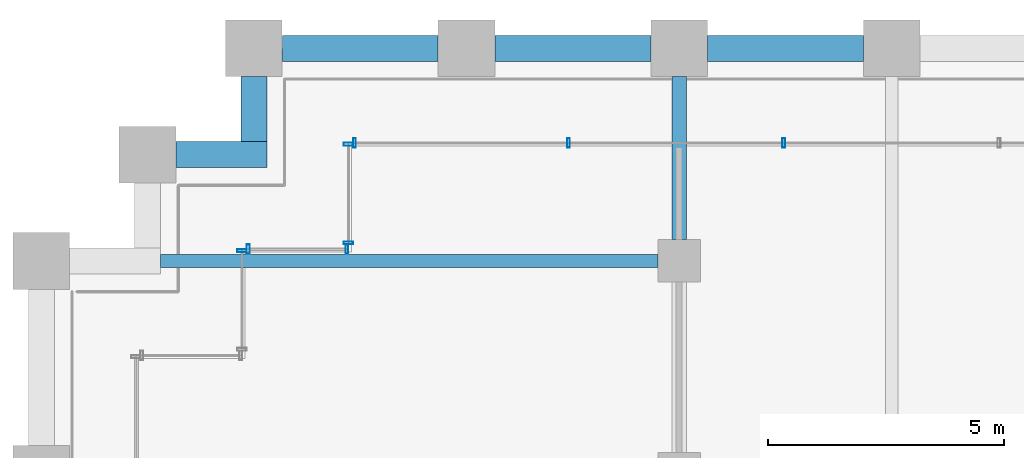
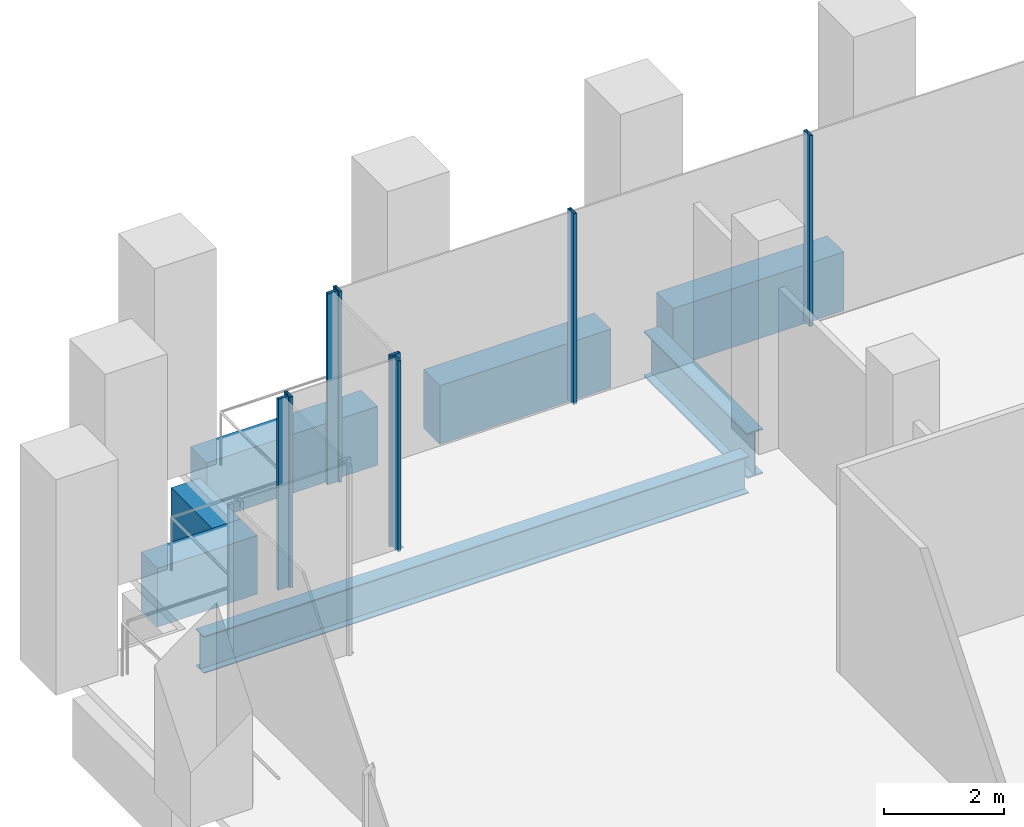
# One storey, part 14 of 36: 8 members, 7 beams, 4 elements without a shape of their own.
"""IFC4 building model written with IfcOpenShell, lengths in metres."""

from ifc_helpers import new_model, si_unit, direction, frame, origin, origin_2d, place, context, subcontext, project, spatial, rectangle, hollow_rectangle, i_section, extrude, material, material_profile, profile_set, type_object, element, aggregate, save


model = new_model("IFC4")

# Units and contexts
model_context = context("Model", 3, precision=1e-05, world=origin(), true_north=direction((0.0, 1.0)))
body_context = subcontext(model_context, "Body", "Model", "MODEL_VIEW")
ifc_project = project(units=[si_unit("LENGTHUNIT", "METRE"), si_unit("AREAUNIT", "SQUARE_METRE"), si_unit("VOLUMEUNIT", "CUBIC_METRE"), si_unit("PLANEANGLEUNIT", "RADIAN"), si_unit("MASSUNIT", "GRAM", prefix="KILO")], contexts=[model_context])

# Site, building, storey
site_placement = place(None, origin())
site = spatial("IfcSite", under=ifc_project, at=site_placement, CompositionType="ELEMENT")
building_placement = place(site_placement, origin())
building = spatial("IfcBuilding", under=site, at=building_placement, Name="Altepetl Exchange Towers", CompositionType="ELEMENT")
storey_placement = place(building_placement, frame((0.0, 0.0, 38.60009765625)))
storey = spatial("IfcBuildingStorey", under=building, at=storey_placement, Name="L08", CompositionType="ELEMENT", Elevation=38.60009765625)

# Beams
ifc_material_1 = material(Name="Steel S355", Category="steel")
ifc_material_profile_1 = material_profile(ifc_material_1, i_section(OverallWidth=0.26611328125, OverallDepth=0.758056640625, WebThickness=0.013916015625, FlangeThickness=0.019287109375, at=origin_2d()), Name="W30X108")
ifc_profile_set_1 = profile_set([ifc_material_profile_1], Name="Steel S355")
beam_type_1 = type_object("IfcBeamType", Name="Floor beam W30X108", PredefinedType="BEAM", material=ifc_profile_set_1)
beam_1_placement = place(storey_placement, frame((29.52490234375, 67.5, -0.55419921875), z_axis=(1.0, 0.0, 0.0), x_axis=(0.0, 1.0, 0.0)))
element("IfcBeam", 1, at=beam_1_placement, inside=storey, type_object=beam_type_1, Name="bm:A:L08:023", PredefinedType="BEAM", context=body_context, shape_type="SweptSolid", body=[
    extrude(i_section(OverallWidth=0.26611328125, OverallDepth=0.758056640625, WebThickness=0.013916015625, FlangeThickness=0.019287109375, at=origin_2d()), origin(), (0.0, 0.0, 1.0), 10.525146484375),
])
ifc_material_profile_2 = material_profile(ifc_material_1, i_section(OverallWidth=0.306884765625, OverallDepth=0.923095703125, WebThickness=0.018310546875, FlangeThickness=0.030029296875, at=origin_2d()), Name="W36X182")
ifc_profile_set_2 = profile_set([ifc_material_profile_2], Name="Steel S355")
beam_type_2 = type_object("IfcBeamType", Name="Girder W36X182", PredefinedType="BEAM", material=ifc_profile_set_2)
beam_2_placement = place(storey_placement, frame((40.5, 71.39990234375, -0.63671875), z_axis=(0.0, -1.0, 0.0), x_axis=(1.0, 0.0, 0.0)))
element("IfcBeam", 2, at=beam_2_placement, inside=storey, type_object=beam_type_2, Name="gd:A:L08:003", PredefinedType="BEAM", context=body_context, shape_type="SweptSolid", body=[
    extrude(i_section(OverallWidth=0.306884765625, OverallDepth=0.923095703125, WebThickness=0.018310546875, FlangeThickness=0.030029296875, at=origin_2d()), origin(), (0.0, 0.0, 1.0), 3.449951171875),
])

# Curtain wall, members
ifc_material_2 = material(Name="Aluminium 6063-T6 glazing", Category="aluminium")
curtain_wall_type = type_object("IfcCurtainWallType", Name="Trading floor glazing system", PredefinedType="NOTDEFINED", material=ifc_material_2)
curtain_wall_1_placement = place(storey_placement, origin())
curtain_wall_1 = element("IfcCurtainWall", 3, at=curtain_wall_1_placement, inside=storey, type_object=curtain_wall_type, Name="CW2 run", PredefinedType="NOTDEFINED")
ifc_material_3 = material(Name="Aluminium 6063-T6", Category="aluminium")
ifc_material_profile_3 = material_profile(ifc_material_3, hollow_rectangle(XDim=0.06005859375, YDim=0.199951171875, WallThickness=0.0029296875, at=origin_2d()), Name="Mullion 60x200 aluminium")
ifc_profile_set_3 = profile_set([ifc_material_profile_3], Name="Aluminium 6063-T6")
member_type = type_object("IfcMemberType", Name="Mullion 60x200 aluminium", PredefinedType="MULLION", material=ifc_profile_set_3)
member_1_placement = place(storey_placement, frame((42.71435546875, 70.0, 0.0), z_axis=(0.0, 0.0, 1.0), x_axis=(-1.0, 0.0, 0.0)))
member_1 = element("IfcMember", 4, at=member_1_placement, type_object=member_type, Name="MU2 mullion", PredefinedType="MULLION", context=body_context, shape_type="SweptSolid", body=[
    extrude(hollow_rectangle(XDim=0.06005859375, YDim=0.199951171875, WallThickness=0.0029296875, at=origin_2d()), origin(), (0.0, 0.0, 1.0), 3.89990234375),
])
member_2_placement = place(storey_placement, frame((38.1572265625, 70.0, 0.0), z_axis=(0.0, 0.0, 1.0), x_axis=(-1.0, 0.0, 0.0)))
member_2 = element("IfcMember", 5, at=member_2_placement, type_object=member_type, Name="MU2 mullion", PredefinedType="MULLION", context=body_context, shape_type="SweptSolid", body=[
    extrude(hollow_rectangle(XDim=0.06005859375, YDim=0.199951171875, WallThickness=0.0029296875, at=origin_2d()), origin(), (0.0, 0.0, 1.0), 3.89990234375),
])
member_3_placement = place(storey_placement, frame((33.6298828125, 70.0, 0.0), z_axis=(0.0, 0.0, 1.0), x_axis=(-1.0, 0.0, 0.0)))
member_3 = element("IfcMember", 6, at=member_3_placement, type_object=member_type, Name="MU2 mullion", PredefinedType="MULLION", context=body_context, shape_type="SweptSolid", body=[
    extrude(hollow_rectangle(XDim=0.06005859375, YDim=0.199951171875, WallThickness=0.0029296875, at=origin_2d()), origin(), (0.0, 0.0, 1.0), 3.89990234375),
])
aggregate(curtain_wall_1, [member_1, member_2, member_3])

curtain_wall_2_placement = place(storey_placement, origin())
curtain_wall_2 = element("IfcCurtainWall", 7, at=curtain_wall_2_placement, inside=storey, type_object=curtain_wall_type, Name="CW2 run", PredefinedType="NOTDEFINED")
member_4_placement = place(storey_placement, frame((33.5, 69.969970703125, 0.0), z_axis=(0.0, 0.0, 1.0), x_axis=(0.0, -1.0, 0.0)))
member_4 = element("IfcMember", 8, at=member_4_placement, type_object=member_type, Name="MU2 mullion", PredefinedType="MULLION", context=body_context, shape_type="SweptSolid", body=[
    extrude(hollow_rectangle(XDim=0.06005859375, YDim=0.199951171875, WallThickness=0.0029296875, at=origin_2d()), origin(), (0.0, 0.0, 1.0), 3.89990234375),
])
member_5_placement = place(storey_placement, frame((33.5, 67.8798828125, 0.0), z_axis=(0.0, 0.0, 1.0), x_axis=(0.0, -1.0, 0.0)))
member_5 = element("IfcMember", 9, at=member_5_placement, type_object=member_type, Name="MU2 mullion", PredefinedType="MULLION", context=body_context, shape_type="SweptSolid", body=[
    extrude(hollow_rectangle(XDim=0.06005859375, YDim=0.199951171875, WallThickness=0.0029296875, at=origin_2d()), origin(), (0.0, 0.0, 1.0), 3.89990234375),
])
aggregate(curtain_wall_2, [member_4, member_5])

curtain_wall_3_placement = place(storey_placement, origin())
curtain_wall_3 = element("IfcCurtainWall", 10, at=curtain_wall_3_placement, inside=storey, type_object=curtain_wall_type, Name="CW2 run", PredefinedType="NOTDEFINED")
member_6_placement = place(storey_placement, frame((33.469970703125, 67.75, 0.0), z_axis=(0.0, 0.0, 1.0), x_axis=(-1.0, 0.0, 0.0)))
member_6 = element("IfcMember", 11, at=member_6_placement, type_object=member_type, Name="MU2 mullion", PredefinedType="MULLION", context=body_context, shape_type="SweptSolid", body=[
    extrude(hollow_rectangle(XDim=0.06005859375, YDim=0.199951171875, WallThickness=0.0029296875, at=origin_2d()), origin(), (0.0, 0.0, 1.0), 3.89990234375),
])
member_7_placement = place(storey_placement, frame((31.3798828125, 67.75, 0.0), z_axis=(0.0, 0.0, 1.0), x_axis=(-1.0, 0.0, 0.0)))
member_7 = element("IfcMember", 12, at=member_7_placement, type_object=member_type, Name="MU2 mullion", PredefinedType="MULLION", context=body_context, shape_type="SweptSolid", body=[
    extrude(hollow_rectangle(XDim=0.06005859375, YDim=0.199951171875, WallThickness=0.0029296875, at=origin_2d()), origin(), (0.0, 0.0, 1.0), 3.89990234375),
])
aggregate(curtain_wall_3, [member_6, member_7])

# Curtain wall, member
curtain_wall_4_placement = place(storey_placement, origin())
curtain_wall_4 = element("IfcCurtainWall", 13, at=curtain_wall_4_placement, inside=storey, type_object=curtain_wall_type, Name="CW2 run", PredefinedType="NOTDEFINED")
member_8_placement = place(storey_placement, frame((31.25, 67.719970703125, 0.0), z_axis=(0.0, 0.0, 1.0), x_axis=(0.0, -1.0, 0.0)))
member_8 = element("IfcMember", 14, at=member_8_placement, type_object=member_type, Name="MU2 mullion", PredefinedType="MULLION", context=body_context, shape_type="SweptSolid", body=[
    extrude(hollow_rectangle(XDim=0.06005859375, YDim=0.199951171875, WallThickness=0.0029296875, at=origin_2d()), origin(), (0.0, 0.0, 1.0), 3.89990234375),
])
aggregate(curtain_wall_4, [member_8])

# Beams
ifc_material_4 = material(Name="Concrete C50/60 precast with cantera rosa facing", Category="concrete")
ifc_material_profile_4 = material_profile(ifc_material_4, rectangle(XDim=0.550048828125, YDim=1.199951171875, at=origin_2d()), Name="550 x 1200")
ifc_profile_set_4 = profile_set([ifc_material_profile_4], Name="Concrete C50/60 precast with cantera rosa facing")
beam_type_3 = type_object("IfcBeamType", Name="Spandrel beam 550x1200 cantera rosa", PredefinedType="SPANDREL", material=ifc_profile_set_4)
beam_3_placement = place(storey_placement, frame((44.39990234375, 72.0, -0.775146484375), z_axis=(-1.0, 0.0, 0.0), x_axis=(0.0, -1.0, 0.0)))
element("IfcBeam", 15, at=beam_3_placement, inside=storey, type_object=beam_type_3, Name="sp:A:L08:029", PredefinedType="SPANDREL", context=body_context, shape_type="SweptSolid", body=[
    extrude(rectangle(XDim=0.550048828125, YDim=1.199951171875, at=origin_2d()), origin(), (0.0, 0.0, 1.0), 3.2998046875),
])
ifc_material_5 = material(Name="Concrete C50/60 precast with tezontle facing", Category="concrete")
ifc_material_profile_5 = material_profile(ifc_material_5, rectangle(XDim=0.550048828125, YDim=1.199951171875, at=origin_2d()), Name="550 x 1200")
ifc_profile_set_5 = profile_set([ifc_material_profile_5], Name="Concrete C50/60 precast with tezontle facing")
beam_type_4 = type_object("IfcBeamType", Name="Spandrel beam 550x1200 tezontle", PredefinedType="SPANDREL", material=ifc_profile_set_5)
for number, where, z_axis, x_axis, name in (
    (16, (39.89990234375, 72.0, -0.775146484375), (-1.0, 0.0, 0.0), (0.0, -1.0, 0.0), "sp:A:L08:030"),
    (17, (35.39990234375, 72.0, -0.775146484375), (-1.0, 0.0, 0.0), (0.0, -1.0, 0.0), "sp:A:L08:031"),
):
    element("IfcBeam", number, at=place(storey_placement, frame(where, z_axis=z_axis, x_axis=x_axis)), inside=storey, type_object=beam_type_4, Name=name, PredefinedType="SPANDREL", context=body_context, shape_type="SweptSolid", body=[
        extrude(rectangle(XDim=0.550048828125, YDim=1.199951171875, at=origin_2d()), origin(), (0.0, 0.0, 1.0), 3.2998046875),
    ])
beam_4_placement = place(storey_placement, frame((31.5, 71.39990234375, -0.775146484375), z_axis=(0.0, -1.0, 0.0), x_axis=(1.0, 0.0, 0.0)))
element("IfcBeam", 18, at=beam_4_placement, inside=storey, type_object=beam_type_4, Name="sp:A:L08:032", PredefinedType="SPANDREL", context=body_context, shape_type="SweptSolid", body=[
    extrude(rectangle(XDim=0.550048828125, YDim=1.199951171875, at=origin_2d()), origin(), (0.0, 0.0, 1.0), 1.375),
])
beam_5_placement = place(storey_placement, frame((31.77490234375, 69.75, -0.775146484375), z_axis=(-1.0, 0.0, 0.0), x_axis=(0.0, -1.0, 0.0)))
element("IfcBeam", 19, at=beam_5_placement, inside=storey, type_object=beam_type_4, Name="sp:A:L08:033", PredefinedType="SPANDREL", context=body_context, shape_type="SweptSolid", body=[
    extrude(rectangle(XDim=0.550048828125, YDim=1.199951171875, at=origin_2d()), origin(), (0.0, 0.0, 1.0), 1.9248046875),
])

save(model, "model.ifc")
